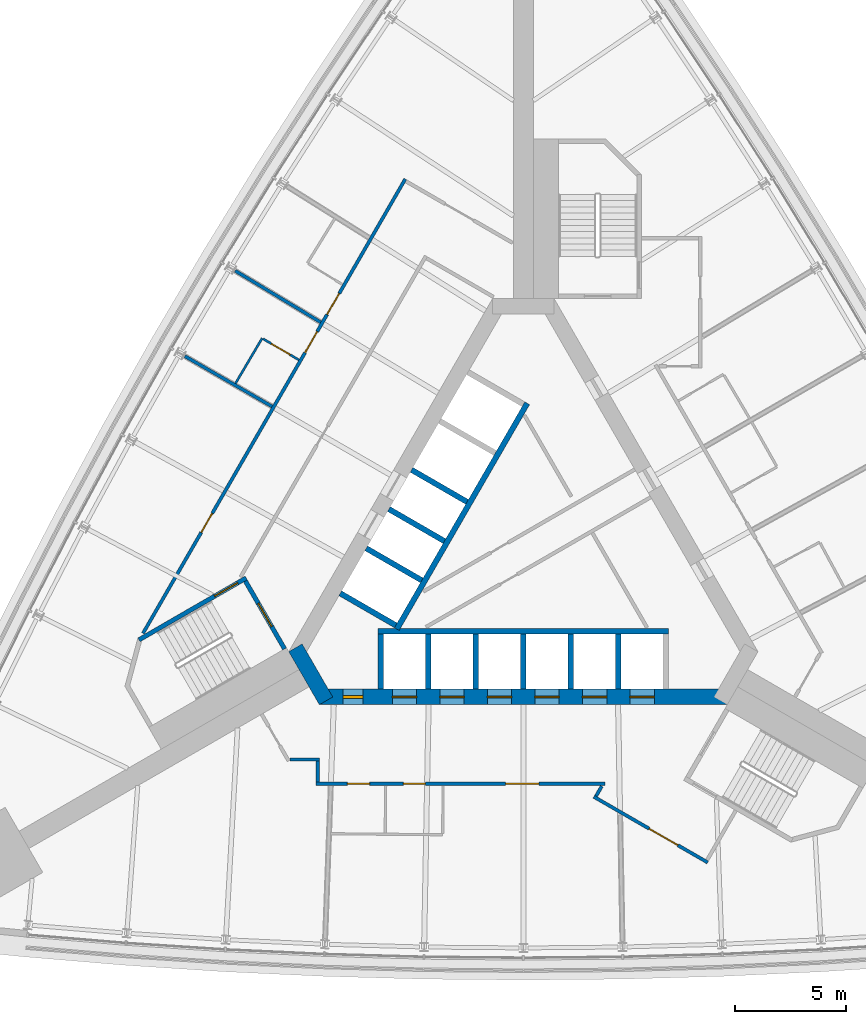
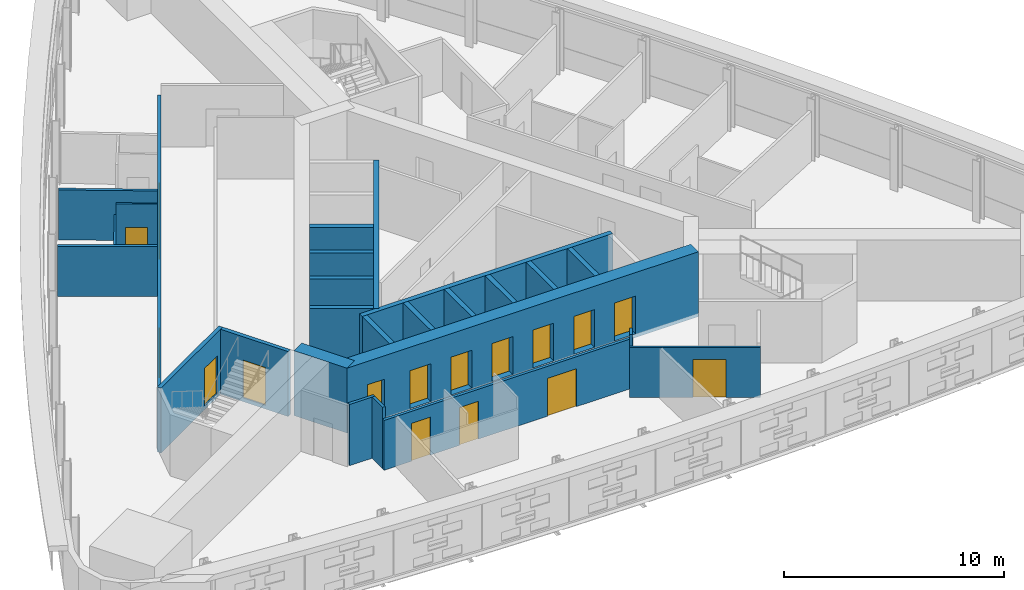
# One storey, part 10 of 15: 26 walls, 17 doors, 17 openings.
"""IFC4 building model written with IfcOpenShell, lengths in metres."""

from ifc_helpers import new_model, si_unit, direction, frame, frame_2d, origin, place, context, subcontext, project, spatial, rectangle, extrude, material, layer, layer_set, type_object, element, fill, save


model = new_model("IFC4")

# Units and contexts
model_context = context("Model", 3, precision=1e-05, world=origin(), true_north=direction((0.0, 1.0)))
body_context = subcontext(model_context, "Body", "Model", "MODEL_VIEW")
ifc_project = project(units=[si_unit("LENGTHUNIT", "METRE"), si_unit("AREAUNIT", "SQUARE_METRE"), si_unit("VOLUMEUNIT", "CUBIC_METRE"), si_unit("PLANEANGLEUNIT", "RADIAN"), si_unit("MASSUNIT", "GRAM", prefix="KILO")], contexts=[model_context])

# Site, building, storey
site_placement = place(None, origin())
site = spatial("IfcSite", under=ifc_project, at=site_placement, CompositionType="ELEMENT")
building_placement = place(site_placement, origin())
building = spatial("IfcBuilding", under=site, at=building_placement, Name="Noor Cloister Tower", CompositionType="ELEMENT")
storey_placement = place(building_placement, frame((0.0, 0.0, 27.60009765625)))
storey = spatial("IfcBuildingStorey", under=building, at=storey_placement, Name="L06", CompositionType="ELEMENT", Elevation=27.60009765625)

# Wall, openings, doors
ifc_material_1 = material(Name="Concrete C80/95", Category="concrete")
ifc_layer_1 = layer(ifc_material_1, 0.699951171875)
ifc_layer_set_1 = layer_set([ifc_layer_1], Name="Core wall 700 C80/95")
wall_type_1 = type_object("IfcWallType", Name="Core wall 700 C80/95", PredefinedType="SHEAR", material=ifc_layer_set_1)
wall_1_placement = place(storey_placement, frame((-9.228759765625, -6.578125, -0.2001953125), z_axis=(0.0, 0.0, 1.0), x_axis=(1.0, 0.0, 0.0)))
wall_1 = element("IfcWall", 1, at=wall_1_placement, inside=storey, type_object=wall_type_1, Name="Core wall L06 1", PredefinedType="SHEAR", context=body_context, shape_type="SweptSolid", body=[
    extrude(rectangle(XDim=18.45751953125, YDim=0.699951171875, at=frame_2d((9.228759765625, 0.0))), origin(), (0.0, 0.0, 1.0), 3.60009765625),
])
opening_1_placement = place(wall_1_placement, frame((3.3037109375, 0.0, 0.199951171875)))
opening_1 = element("IfcOpeningElement", 2, at=opening_1_placement, cuts=wall_1, Name="Opening L06-LR1", PredefinedType="OPENING", context=body_context, shape_type="SweptSolid", body=[
    extrude(rectangle(XDim=1.10009765625, YDim=2.10009765625, at=frame_2d((0.550048828125, 1.050048828125))), frame((0.0, 0.35986328125, 0.0), z_axis=(0.0, -1.0, 0.0), x_axis=(1.0, 0.0, 0.0)), (0.0, 0.0, 1.0), 0.719970703125),
])
opening_2_placement = place(wall_1_placement, frame((5.45361328125, 0.0, 0.199951171875)))
opening_2 = element("IfcOpeningElement", 3, at=opening_2_placement, cuts=wall_1, Name="Opening L06-LR2", PredefinedType="OPENING", context=body_context, shape_type="SweptSolid", body=[
    extrude(rectangle(XDim=1.10009765625, YDim=2.10009765625, at=frame_2d((0.550048828125, 1.050048828125))), frame((0.0, 0.35986328125, 0.0), z_axis=(0.0, -1.0, 0.0), x_axis=(1.0, 0.0, 0.0)), (0.0, 0.0, 1.0), 0.719970703125),
])
opening_3_placement = place(wall_1_placement, frame((7.603759765625, 0.0, 0.199951171875)))
opening_3 = element("IfcOpeningElement", 4, at=opening_3_placement, cuts=wall_1, Name="Opening L06-LR3", PredefinedType="OPENING", context=body_context, shape_type="SweptSolid", body=[
    extrude(rectangle(XDim=1.10009765625, YDim=2.10009765625, at=frame_2d((0.550048828125, 1.050048828125))), frame((0.0, 0.35986328125, 0.0), z_axis=(0.0, -1.0, 0.0), x_axis=(1.0, 0.0, 0.0)), (0.0, 0.0, 1.0), 0.719970703125),
])
opening_4_placement = place(wall_1_placement, frame((9.753662109375, 0.0, 0.199951171875)))
opening_4 = element("IfcOpeningElement", 5, at=opening_4_placement, cuts=wall_1, Name="Opening L06-LR4", PredefinedType="OPENING", context=body_context, shape_type="SweptSolid", body=[
    extrude(rectangle(XDim=1.10009765625, YDim=2.10009765625, at=frame_2d((0.550048828125, 1.050048828125))), frame((0.0, 0.35986328125, 0.0), z_axis=(0.0, -1.0, 0.0), x_axis=(1.0, 0.0, 0.0)), (0.0, 0.0, 1.0), 0.719970703125),
])
opening_5_placement = place(wall_1_placement, frame((11.90380859375, 0.0, 0.199951171875)))
opening_5 = element("IfcOpeningElement", 6, at=opening_5_placement, cuts=wall_1, Name="Opening L06-LR5", PredefinedType="OPENING", context=body_context, shape_type="SweptSolid", body=[
    extrude(rectangle(XDim=1.10009765625, YDim=2.10009765625, at=frame_2d((0.550048828125, 1.050048828125))), frame((0.0, 0.35986328125, 0.0), z_axis=(0.0, -1.0, 0.0), x_axis=(1.0, 0.0, 0.0)), (0.0, 0.0, 1.0), 0.719970703125),
])
opening_6_placement = place(wall_1_placement, frame((14.0537109375, 0.0, 0.199951171875)))
opening_6 = element("IfcOpeningElement", 7, at=opening_6_placement, cuts=wall_1, Name="Opening L06-LR6", PredefinedType="OPENING", context=body_context, shape_type="SweptSolid", body=[
    extrude(rectangle(XDim=1.10009765625, YDim=2.10009765625, at=frame_2d((0.550048828125, 1.050048828125))), frame((0.0, 0.35986328125, 0.0), z_axis=(0.0, -1.0, 0.0), x_axis=(1.0, 0.0, 0.0)), (0.0, 0.0, 1.0), 0.719970703125),
])
opening_7_placement = place(wall_1_placement, frame((1.078857421875, 0.0, 0.199951171875)))
opening_7 = element("IfcOpeningElement", 8, at=opening_7_placement, cuts=wall_1, Name="Opening L06-905", PredefinedType="OPENING", context=body_context, shape_type="SweptSolid", body=[
    extrude(rectangle(XDim=0.89990234375, YDim=2.10009765625, at=frame_2d((0.449951171875, 1.050048828125))), frame((0.0, 0.35986328125, 0.0), z_axis=(0.0, -1.0, 0.0), x_axis=(1.0, 0.0, 0.0)), (0.0, 0.0, 1.0), 0.719970703125),
])
ifc_material_2 = material(Name="Steel", Category="steel")
door_type_1 = type_object("IfcDoorType", Name="Core door 900 x 2100 FD120", OperationType="SINGLE_SWING_LEFT", PredefinedType="DOOR", material=ifc_material_2)
door_1_placement = place(opening_7_placement, origin())
door_1 = element("IfcDoor", 9, at=door_1_placement, inside=storey, type_object=door_type_1, Name="Core door 5 L06", OperationType="SINGLE_SWING_LEFT", OverallHeight=2.10009765625, OverallWidth=0.89990234375, PredefinedType="DOOR", context=body_context, shape_type="SweptSolid", body=[
    extrude(rectangle(XDim=0.89990234375, YDim=2.10009765625, at=frame_2d((0.449951171875, 1.050048828125))), frame((0.0, 0.074951171875, 0.0), z_axis=(0.0, -1.0, 0.0), x_axis=(1.0, 0.0, 0.0)), (0.0, 0.0, 1.0), 0.14990234375),
])
fill(opening_7, door_1)
ifc_material_3 = material(Name="Stainless steel", Category="steel")
door_type_2 = type_object("IfcDoorType", Name="Lift landing door 1100 x 2100", OperationType="DOUBLE_DOOR_SLIDING", PredefinedType="DOOR", material=ifc_material_3)
door_2_placement = place(opening_1_placement, origin())
door_2 = element("IfcDoor", 10, at=door_2_placement, inside=storey, type_object=door_type_2, Name="Landing door LR1 L06", OperationType="DOUBLE_DOOR_SLIDING", OverallHeight=2.10009765625, OverallWidth=1.10009765625, PredefinedType="DOOR", context=body_context, shape_type="SweptSolid", body=[
    extrude(rectangle(XDim=1.10009765625, YDim=2.10009765625, at=frame_2d((0.550048828125, 1.050048828125))), frame((0.0, 0.02490234375, 0.0), z_axis=(0.0, -1.0, 0.0), x_axis=(1.0, 0.0, 0.0)), (0.0, 0.0, 1.0), 0.050048828125),
])
fill(opening_1, door_2)
door_3_placement = place(opening_2_placement, origin())
door_3 = element("IfcDoor", 11, at=door_3_placement, inside=storey, type_object=door_type_2, Name="Landing door LR2 L06", OperationType="DOUBLE_DOOR_SLIDING", OverallHeight=2.10009765625, OverallWidth=1.10009765625, PredefinedType="DOOR", context=body_context, shape_type="SweptSolid", body=[
    extrude(rectangle(XDim=1.10009765625, YDim=2.10009765625, at=frame_2d((0.550048828125, 1.050048828125))), frame((0.0, 0.02490234375, 0.0), z_axis=(0.0, -1.0, 0.0), x_axis=(1.0, 0.0, 0.0)), (0.0, 0.0, 1.0), 0.050048828125),
])
fill(opening_2, door_3)
door_4_placement = place(opening_3_placement, origin())
door_4 = element("IfcDoor", 12, at=door_4_placement, inside=storey, type_object=door_type_2, Name="Landing door LR3 L06", OperationType="DOUBLE_DOOR_SLIDING", OverallHeight=2.10009765625, OverallWidth=1.10009765625, PredefinedType="DOOR", context=body_context, shape_type="SweptSolid", body=[
    extrude(rectangle(XDim=1.10009765625, YDim=2.10009765625, at=frame_2d((0.550048828125, 1.050048828125))), frame((0.0, 0.02490234375, 0.0), z_axis=(0.0, -1.0, 0.0), x_axis=(1.0, 0.0, 0.0)), (0.0, 0.0, 1.0), 0.050048828125),
])
fill(opening_3, door_4)
door_5_placement = place(opening_4_placement, origin())
door_5 = element("IfcDoor", 13, at=door_5_placement, inside=storey, type_object=door_type_2, Name="Landing door LR4 L06", OperationType="DOUBLE_DOOR_SLIDING", OverallHeight=2.10009765625, OverallWidth=1.10009765625, PredefinedType="DOOR", context=body_context, shape_type="SweptSolid", body=[
    extrude(rectangle(XDim=1.10009765625, YDim=2.10009765625, at=frame_2d((0.550048828125, 1.050048828125))), frame((0.0, 0.02490234375, 0.0), z_axis=(0.0, -1.0, 0.0), x_axis=(1.0, 0.0, 0.0)), (0.0, 0.0, 1.0), 0.050048828125),
])
fill(opening_4, door_5)
door_6_placement = place(opening_5_placement, origin())
door_6 = element("IfcDoor", 14, at=door_6_placement, inside=storey, type_object=door_type_2, Name="Landing door LR5 L06", OperationType="DOUBLE_DOOR_SLIDING", OverallHeight=2.10009765625, OverallWidth=1.10009765625, PredefinedType="DOOR", context=body_context, shape_type="SweptSolid", body=[
    extrude(rectangle(XDim=1.10009765625, YDim=2.10009765625, at=frame_2d((0.550048828125, 1.050048828125))), frame((0.0, 0.02490234375, 0.0), z_axis=(0.0, -1.0, 0.0), x_axis=(1.0, 0.0, 0.0)), (0.0, 0.0, 1.0), 0.050048828125),
])
fill(opening_5, door_6)
door_7_placement = place(opening_6_placement, origin())
door_7 = element("IfcDoor", 15, at=door_7_placement, inside=storey, type_object=door_type_2, Name="Landing door LR6 L06", OperationType="DOUBLE_DOOR_SLIDING", OverallHeight=2.10009765625, OverallWidth=1.10009765625, PredefinedType="DOOR", context=body_context, shape_type="SweptSolid", body=[
    extrude(rectangle(XDim=1.10009765625, YDim=2.10009765625, at=frame_2d((0.550048828125, 1.050048828125))), frame((0.0, 0.02490234375, 0.0), z_axis=(0.0, -1.0, 0.0), x_axis=(1.0, 0.0, 0.0)), (0.0, 0.0, 1.0), 0.050048828125),
])
fill(opening_6, door_7)

# Wall
wall_2_placement = place(storey_placement, frame((-10.311279296875, -4.353271484375, -0.2001953125), z_axis=(0.0, 0.0, 1.0), x_axis=(0.500042739161, -0.866000726912, 0.0)))
element("IfcWall", 16, at=wall_2_placement, inside=storey, type_object=wall_type_1, Name="Core wall L06 6", PredefinedType="SHEAR", context=body_context, shape_type="SweptSolid", body=[
    extrude(rectangle(XDim=2.771240234375, YDim=0.699951171875, at=frame_2d((1.3857421875, 0.0))), origin(), (0.0, 0.0, 1.0), 3.60009765625),
])

# Wall, openings, doors
ifc_material_4 = material(Name="Gypsum board partition on steel studs, 150 mm", Category="steel")
ifc_layer_2 = layer(ifc_material_4, 0.14990234375)
ifc_layer_set_2 = layer_set([ifc_layer_2], Name="Flat wall 150")
wall_type_2 = type_object("IfcWallType", Name="Flat wall 150", PredefinedType="PARTITIONING", material=ifc_layer_set_2)
wall_3_placement = place(storey_placement, frame((-17.208251953125, -3.69921875, 0.0), z_axis=(0.0, 0.0, 1.0), x_axis=(0.499997567621, 0.866026808115, 0.0)))
wall_3 = element("IfcWall", 17, at=wall_3_placement, inside=storey, type_object=wall_type_2, Name="Flat wall 150 L06 001", PredefinedType="PARTITIONING", context=body_context, shape_type="SweptSolid", body=[
    extrude(rectangle(XDim=23.736328125, YDim=0.14990234375, at=frame_2d((11.8681640625, 0.0))), origin(), (0.0, 0.0, 1.0), 2.767822265625),
])
opening_8_placement = place(wall_3_placement, frame((16.65576171875, 0.0, 0.0)))
opening_8 = element("IfcOpeningElement", 18, at=opening_8_placement, cuts=wall_3, Name="Opening L06-001", PredefinedType="OPENING", context=body_context, shape_type="SweptSolid", body=[
    extrude(rectangle(XDim=1.10009765625, YDim=2.10009765625, at=frame_2d((0.550048828125, 1.050048828125))), frame((0.0, 0.0849609375, 0.0), z_axis=(0.0, -1.0, 0.0), x_axis=(1.0, 0.0, 0.0)), (0.0, 0.0, 1.0), 0.169921875),
])
opening_9_placement = place(wall_3_placement, frame((14.662109375, 0.0, 0.0)))
opening_9 = element("IfcOpeningElement", 19, at=opening_9_placement, cuts=wall_3, Name="Opening L06-002", PredefinedType="OPENING", context=body_context, shape_type="SweptSolid", body=[
    extrude(rectangle(XDim=1.10009765625, YDim=2.10009765625, at=frame_2d((0.550048828125, 1.050048828125))), frame((0.0, 0.0849609375, 0.0), z_axis=(0.0, -1.0, 0.0), x_axis=(1.0, 0.0, 0.0)), (0.0, 0.0, 1.0), 0.169921875),
])
opening_10_placement = place(wall_3_placement, frame((5.273193359375, 0.0, 0.0)))
opening_10 = element("IfcOpeningElement", 20, at=opening_10_placement, cuts=wall_3, Name="Opening L06-003", PredefinedType="OPENING", context=body_context, shape_type="SweptSolid", body=[
    extrude(rectangle(XDim=1.0, YDim=2.10009765625, at=frame_2d((0.5, 1.050048828125))), frame((0.0, 0.0849609375, 0.0), z_axis=(0.0, -1.0, 0.0), x_axis=(1.0, 0.0, 0.0)), (0.0, 0.0, 1.0), 0.169921875),
])
ifc_material_5 = material(Name="Timber door leaf with steel frame", Category="steel")
door_type_3 = type_object("IfcDoorType", Name="Interior door 1000 FD60", OperationType="NOTDEFINED", PredefinedType="DOOR", material=ifc_material_5)
door_8_placement = place(opening_10_placement, origin())
door_8 = element("IfcDoor", 21, at=door_8_placement, inside=storey, type_object=door_type_3, Name="Interior door 1000 L06-003", OperationType="SINGLE_SWING_LEFT", OverallHeight=2.10009765625, OverallWidth=1.0, PredefinedType="DOOR", context=body_context, shape_type="SweptSolid", body=[
    extrude(rectangle(XDim=1.0, YDim=2.10009765625, at=frame_2d((0.5, 1.050048828125))), frame((0.0, 0.02490234375, 0.0), z_axis=(0.0, -1.0, 0.0), x_axis=(1.0, 0.0, 0.0)), (0.0, 0.0, 1.0), 0.050048828125),
])
fill(opening_10, door_8)
ifc_material_6 = material(Name="Timber door leaf with steel frame", Category="steel")
door_type_4 = type_object("IfcDoorType", Name="Resident room door 1100", OperationType="NOTDEFINED", PredefinedType="DOOR", material=ifc_material_6)
door_9_placement = place(opening_8_placement, origin())
door_9 = element("IfcDoor", 22, at=door_9_placement, inside=storey, type_object=door_type_4, Name="Resident room door 1100 L06-001", OperationType="SINGLE_SWING_RIGHT", OverallHeight=2.10009765625, OverallWidth=1.10009765625, PredefinedType="DOOR", context=body_context, shape_type="SweptSolid", body=[
    extrude(rectangle(XDim=1.10009765625, YDim=2.10009765625, at=frame_2d((0.550048828125, 1.050048828125))), frame((0.0, 0.02490234375, 0.0), z_axis=(0.0, -1.0, 0.0), x_axis=(1.0, 0.0, 0.0)), (0.0, 0.0, 1.0), 0.050048828125),
])
fill(opening_8, door_9)
door_10_placement = place(opening_9_placement, origin())
door_10 = element("IfcDoor", 23, at=door_10_placement, inside=storey, type_object=door_type_4, Name="Resident room door 1100 L06-002", OperationType="SINGLE_SWING_RIGHT", OverallHeight=2.10009765625, OverallWidth=1.10009765625, PredefinedType="DOOR", context=body_context, shape_type="SweptSolid", body=[
    extrude(rectangle(XDim=1.10009765625, YDim=2.10009765625, at=frame_2d((0.550048828125, 1.050048828125))), frame((0.0, 0.02490234375, 0.0), z_axis=(0.0, -1.0, 0.0), x_axis=(1.0, 0.0, 0.0)), (0.0, 0.0, 1.0), 0.050048828125),
])
fill(opening_9, door_10)

wall_4_placement = place(storey_placement, frame((3.68896484375, -10.503173828125, 0.0), z_axis=(0.0, 0.0, 1.0), x_axis=(-1.0, 0.0, 0.0)))
wall_4 = element("IfcWall", 24, at=wall_4_placement, inside=storey, type_object=wall_type_2, Name="Flat wall 150 L06 004", PredefinedType="PARTITIONING", context=body_context, shape_type="SweptSolid", body=[
    extrude(rectangle(XDim=13.067626953125, YDim=0.14990234375, at=frame_2d((6.53369140625, 0.0))), origin(), (0.0, 0.0, 1.0), 2.767822265625),
])
opening_11_placement = place(wall_4_placement, frame((10.64599609375, 0.0, 0.0)))
opening_11 = element("IfcOpeningElement", 25, at=opening_11_placement, cuts=wall_4, Name="Opening L06-007", PredefinedType="OPENING", context=body_context, shape_type="SweptSolid", body=[
    extrude(rectangle(XDim=1.0, YDim=2.10009765625, at=frame_2d((0.5, 1.050048828125))), frame((0.0, 0.0849609375, 0.0), z_axis=(0.0, -1.0, 0.0), x_axis=(1.0, 0.0, 0.0)), (0.0, 0.0, 1.0), 0.169921875),
])
opening_12_placement = place(wall_4_placement, frame((8.11767578125, 0.0, 0.0)))
opening_12 = element("IfcOpeningElement", 26, at=opening_12_placement, cuts=wall_4, Name="Opening L06-008", PredefinedType="OPENING", context=body_context, shape_type="SweptSolid", body=[
    extrude(rectangle(XDim=1.0, YDim=2.10009765625, at=frame_2d((0.5, 1.050048828125))), frame((0.0, 0.0849609375, 0.0), z_axis=(0.0, -1.0, 0.0), x_axis=(1.0, 0.0, 0.0)), (0.0, 0.0, 1.0), 0.169921875),
])
opening_13_placement = place(wall_4_placement, frame((2.986083984375, 0.0, 0.0)))
opening_13 = element("IfcOpeningElement", 27, at=opening_13_placement, cuts=wall_4, Name="Opening L06-009", PredefinedType="OPENING", context=body_context, shape_type="SweptSolid", body=[
    extrude(rectangle(XDim=1.5, YDim=2.10009765625, at=frame_2d((0.75, 1.050048828125))), frame((0.0, 0.0849609375, 0.0), z_axis=(0.0, -1.0, 0.0), x_axis=(1.0, 0.0, 0.0)), (0.0, 0.0, 1.0), 0.169921875),
])
ifc_material_7 = material(Name="Timber door leaf with steel frame", Category="steel")
door_type_5 = type_object("IfcDoorType", Name="Accessible WC door 1000", OperationType="NOTDEFINED", PredefinedType="DOOR", material=ifc_material_7)
door_11_placement = place(opening_11_placement, origin())
door_11 = element("IfcDoor", 28, at=door_11_placement, inside=storey, type_object=door_type_5, Name="Accessible WC door 1000 L06-007", OperationType="SINGLE_SWING_RIGHT", OverallHeight=2.10009765625, OverallWidth=1.0, PredefinedType="DOOR", context=body_context, shape_type="SweptSolid", body=[
    extrude(rectangle(XDim=1.0, YDim=2.10009765625, at=frame_2d((0.5, 1.050048828125))), frame((0.0, 0.02490234375, 0.0), z_axis=(0.0, -1.0, 0.0), x_axis=(1.0, 0.0, 0.0)), (0.0, 0.0, 1.0), 0.050048828125),
])
fill(opening_11, door_11)
ifc_material_8 = material(Name="Timber door leaf with steel frame", Category="steel")
door_type_6 = type_object("IfcDoorType", Name="Double door 1500 FD60", OperationType="NOTDEFINED", PredefinedType="DOOR", material=ifc_material_8)
door_12_placement = place(opening_13_placement, origin())
door_12 = element("IfcDoor", 29, at=door_12_placement, inside=storey, type_object=door_type_6, Name="Double door 1500 L06-009", OperationType="DOUBLE_DOOR_SINGLE_SWING", OverallHeight=2.10009765625, OverallWidth=1.5, PredefinedType="DOOR", context=body_context, shape_type="SweptSolid", body=[
    extrude(rectangle(XDim=1.5, YDim=2.10009765625, at=frame_2d((0.75, 1.050048828125))), frame((0.0, 0.02490234375, 0.0), z_axis=(0.0, -1.0, 0.0), x_axis=(1.0, 0.0, 0.0)), (0.0, 0.0, 1.0), 0.050048828125),
])
fill(opening_13, door_12)
door_13_placement = place(opening_12_placement, origin())
door_13 = element("IfcDoor", 30, at=door_13_placement, inside=storey, type_object=door_type_3, Name="Interior door 1000 L06-008", OperationType="SINGLE_SWING_RIGHT", OverallHeight=2.10009765625, OverallWidth=1.0, PredefinedType="DOOR", context=body_context, shape_type="SweptSolid", body=[
    extrude(rectangle(XDim=1.0, YDim=2.10009765625, at=frame_2d((0.5, 1.050048828125))), frame((0.0, 0.02490234375, 0.0), z_axis=(0.0, -1.0, 0.0), x_axis=(1.0, 0.0, 0.0)), (0.0, 0.0, 1.0), 0.050048828125),
])
fill(opening_12, door_13)

# Wall, opening, door
wall_5_placement = place(storey_placement, frame((8.341064453125, -14.065673828125, 0.0), z_axis=(0.0, 0.0, 1.0), x_axis=(-0.866017493347, 0.500013701029, 0.0)))
wall_5 = element("IfcWall", 31, at=wall_5_placement, inside=storey, type_object=wall_type_2, Name="Flat wall 150 L06 006", PredefinedType="PARTITIONING", context=body_context, shape_type="SweptSolid", body=[
    extrude(rectangle(XDim=5.949951171875, YDim=0.14990234375, at=frame_2d((2.97509765625, 0.0))), origin(), (0.0, 0.0, 1.0), 2.767822265625),
])
opening_14_placement = place(wall_5_placement, frame((1.55712890625, 0.0, 0.0)))
opening_14 = element("IfcOpeningElement", 32, at=opening_14_placement, cuts=wall_5, Name="Opening L06-011", PredefinedType="OPENING", context=body_context, shape_type="SweptSolid", body=[
    extrude(rectangle(XDim=1.5, YDim=2.10009765625, at=frame_2d((0.75, 1.050048828125))), frame((0.0, 0.0849609375, 0.0), z_axis=(0.0, -1.0, 0.0), x_axis=(1.0, 0.0, 0.0)), (0.0, 0.0, 1.0), 0.169921875),
])
door_14_placement = place(opening_14_placement, origin())
door_14 = element("IfcDoor", 33, at=door_14_placement, inside=storey, type_object=door_type_6, Name="Double door 1500 L06-011", OperationType="DOUBLE_DOOR_SINGLE_SWING", OverallHeight=2.10009765625, OverallWidth=1.5, PredefinedType="DOOR", context=body_context, shape_type="SweptSolid", body=[
    extrude(rectangle(XDim=1.5, YDim=2.10009765625, at=frame_2d((0.75, 1.050048828125))), frame((0.0, 0.02490234375, 0.0), z_axis=(0.0, -1.0, 0.0), x_axis=(1.0, 0.0, 0.0)), (0.0, 0.0, 1.0), 0.050048828125),
])
fill(opening_14, door_14)

# Walls
wall_6_placement = place(storey_placement, frame((-10.55517578125, -9.4033203125, 0.0), z_axis=(0.0, 0.0, 1.0), x_axis=(1.0, 0.0, 0.0)))
element("IfcWall", 34, at=wall_6_placement, inside=storey, type_object=wall_type_2, Name="Flat wall 150 L06 014", PredefinedType="PARTITIONING", context=body_context, shape_type="SweptSolid", body=[
    extrude(rectangle(XDim=1.326416015625, YDim=0.14990234375, at=frame_2d((0.6630859375, 0.0))), origin(), (0.0, 0.0, 1.0), 3.39990234375),
])
wall_7_placement = place(storey_placement, frame((-9.3037109375, -10.42822265625, 0.0), z_axis=(0.0, 0.0, 1.0), x_axis=(0.0, 1.0, 0.0)))
element("IfcWall", 35, at=wall_7_placement, inside=storey, type_object=wall_type_2, Name="Flat wall 150 L06 015", PredefinedType="PARTITIONING", context=body_context, shape_type="SweptSolid", body=[
    extrude(rectangle(XDim=0.949951171875, YDim=0.14990234375, at=frame_2d((0.47509765625, 0.0))), origin(), (0.0, 0.0, 1.0), 3.39990234375),
])
wall_8_placement = place(storey_placement, frame((3.290771484375, -11.063232421875, 0.0), z_axis=(0.0, 0.0, 1.0), x_axis=(0.499899694197, 0.866083307622, 0.0)))
element("IfcWall", 36, at=wall_8_placement, inside=storey, type_object=wall_type_2, Name="Flat wall 150 L06 016", PredefinedType="PARTITIONING", context=body_context, shape_type="SweptSolid", body=[
    extrude(rectangle(XDim=0.5166015625, YDim=0.14990234375, at=frame_2d((0.25830078125, 0.0))), origin(), (0.0, 0.0, 1.0), 3.39990234375),
])
wall_9_placement = place(storey_placement, frame((-15.31396484375, 8.841552734375, 0.0), z_axis=(0.0, 0.0, 1.0), x_axis=(0.866031166731, -0.499990018151, 0.0)))
element("IfcWall", 37, at=wall_9_placement, inside=storey, type_object=wall_type_2, Name="Flat wall 150 L06 023", PredefinedType="PARTITIONING", context=body_context, shape_type="SweptSolid", body=[
    extrude(rectangle(XDim=4.5546875, YDim=0.14990234375, at=frame_2d((2.27734375, 0.0))), origin(), (0.0, 0.0, 1.0), 2.767822265625),
])
wall_10_placement = place(storey_placement, frame((-13.03564453125, 12.704833984375, 0.0), z_axis=(0.0, 0.0, 1.0), x_axis=(0.856594224171, -0.515990634719, 0.0)))
element("IfcWall", 38, at=wall_10_placement, inside=storey, type_object=wall_type_2, Name="Flat wall 150 L06 024", PredefinedType="PARTITIONING", context=body_context, shape_type="SweptSolid", body=[
    extrude(rectangle(XDim=4.512939453125, YDim=0.14990234375, at=frame_2d((2.25634765625, 0.0))), origin(), (0.0, 0.0, 1.0), 2.767822265625),
])
ifc_material_9 = material(Name="Gypsum board partition on steel studs, 100 mm", Category="steel")
ifc_layer_3 = layer(ifc_material_9, 0.10009765625)
ifc_layer_set_3 = layer_set([ifc_layer_3], Name="Partition 100")
wall_type_3 = type_object("IfcWallType", Name="Partition 100", PredefinedType="PARTITIONING", material=ifc_layer_set_3)
wall_11_placement = place(storey_placement, frame((-13.02392578125, 7.6064453125, 0.0), z_axis=(0.0, 0.0, 1.0), x_axis=(0.508012392693, 0.861349759895, 0.0)))
element("IfcWall", 39, at=wall_11_placement, inside=storey, type_object=wall_type_3, Name="Partition 100 L06 030", PredefinedType="PARTITIONING", context=body_context, shape_type="SweptSolid", body=[
    extrude(rectangle(XDim=2.37548828125, YDim=0.10009765625, at=frame_2d((1.187744140625, 0.0))), origin(), (0.0, 0.0, 1.0), 2.767822265625),
])

# Wall, opening, door
wall_12_placement = place(storey_placement, frame((-10.1533203125, 8.671142578125, 0.0), z_axis=(0.0, 0.0, 1.0), x_axis=(-0.861326599867, 0.508051659147, 0.0)))
wall_12 = element("IfcWall", 40, at=wall_12_placement, inside=storey, type_object=wall_type_3, Name="Partition 100 L06 037", PredefinedType="PARTITIONING", context=body_context, shape_type="SweptSolid", body=[
    extrude(rectangle(XDim=1.8818359375, YDim=0.10009765625, at=frame_2d((0.94091796875, 0.0))), origin(), (0.0, 0.0, 1.0), 3.39990234375),
])
opening_15_placement = place(wall_12_placement, frame((0.45458984375, 0.0, 0.0)))
opening_15 = element("IfcOpeningElement", 41, at=opening_15_placement, cuts=wall_12, Name="Opening L06-019", PredefinedType="OPENING", context=body_context, shape_type="SweptSolid", body=[
    extrude(rectangle(XDim=1.0, YDim=2.10009765625, at=frame_2d((0.5, 1.050048828125))), frame((0.0, 0.06005859375, 0.0), z_axis=(0.0, -1.0, 0.0), x_axis=(1.0, 0.0, 0.0)), (0.0, 0.0, 1.0), 0.1201171875),
])
ifc_material_10 = material(Name="Timber door leaf with steel frame", Category="steel")
door_type_7 = type_object("IfcDoorType", Name="Interior door 1000", OperationType="NOTDEFINED", PredefinedType="DOOR", material=ifc_material_10)
door_15_placement = place(opening_15_placement, origin())
door_15 = element("IfcDoor", 42, at=door_15_placement, inside=storey, type_object=door_type_7, Name="Interior door 1000 L06-019", OperationType="SINGLE_SWING_RIGHT", OverallHeight=2.10009765625, OverallWidth=1.0, PredefinedType="DOOR", context=body_context, shape_type="SweptSolid", body=[
    extrude(rectangle(XDim=1.0, YDim=2.10009765625, at=frame_2d((0.5, 1.050048828125))), frame((0.0, 0.02490234375, 0.0), z_axis=(0.0, -1.0, 0.0), x_axis=(1.0, 0.0, 0.0)), (0.0, 0.0, 1.0), 0.050048828125),
])
fill(opening_15, door_15)

# Walls
ifc_material_11 = material(Name="Concrete C80/95", Category="concrete")
ifc_layer_4 = layer(ifc_material_11, 0.25)
ifc_layer_set_4 = layer_set([ifc_layer_4], Name="Shaft wall 250 C80/95")
wall_type_4 = type_object("IfcWallType", Name="Shaft wall 250 C80/95", PredefinedType="PARTITIONING", material=ifc_layer_set_4)
for number, where, z_axis, x_axis, name in (
    (43, (-6.449951171875, -6.228271484375, -0.2001953125), (0.0, 0.0, 1.0), (0.0, 1.0, 0.0), "Lift shaft wall L06 S 1"),
    (44, (-4.300048828125, -6.228271484375, -0.2001953125), (0.0, 0.0, 1.0), (0.0, 1.0, 0.0), "Lift shaft wall L06 S 2"),
    (45, (-2.14990234375, -6.228271484375, -0.2001953125), (0.0, 0.0, 1.0), (0.0, 1.0, 0.0), "Lift shaft wall L06 S 3"),
    (46, (0.0, -6.228271484375, -0.2001953125), (0.0, 0.0, 1.0), (0.0, 1.0, 0.0), "Lift shaft wall L06 S 4"),
    (47, (2.14990234375, -6.228271484375, -0.2001953125), (0.0, 0.0, 1.0), (0.0, 1.0, 0.0), "Lift shaft wall L06 S 5"),
    (48, (4.300048828125, -6.228271484375, -0.2001953125), (0.0, 0.0, 1.0), (0.0, 1.0, 0.0), "Lift shaft wall L06 S 6"),
):
    element("IfcWall", number, at=place(storey_placement, frame(where, z_axis=z_axis, x_axis=x_axis)), inside=storey, type_object=wall_type_4, Name=name, PredefinedType="PARTITIONING", context=body_context, shape_type="SweptSolid", body=[
        extrude(rectangle(XDim=2.5, YDim=0.25, at=frame_2d((1.25, 0.0))), origin(), (0.0, 0.0, 1.0), 3.60009765625),
    ])
wall_13_placement = place(storey_placement, frame((-6.574951171875, -3.603271484375, 0.0), z_axis=(0.0, 0.0, 1.0), x_axis=(1.0, 0.0, 0.0)))
element("IfcWall", 49, at=wall_13_placement, inside=storey, type_object=wall_type_4, Name="Lift shaft back wall L06 S", PredefinedType="PARTITIONING", context=body_context, shape_type="SweptSolid", body=[
    extrude(rectangle(XDim=13.14990234375, YDim=0.25, at=frame_2d((6.574951171875, 0.0))), origin(), (0.0, 0.0, 1.0), 3.39990234375),
])
for number, where, z_axis, x_axis, name in (
    (50, (-5.056396484375, 3.69873046875, -0.2001953125), (0.0, 0.0, 1.0), (0.866032775405, -0.499987231761, 0.0), "Lift shaft wall L06 NW 3"),
    (51, (-6.081298828125, 1.92333984375, -0.2001953125), (0.0, 0.0, 1.0), (0.866032775405, -0.499987231761, 0.0), "Lift shaft wall L06 NW 4"),
    (52, (-7.106201171875, 0.14794921875, -0.2001953125), (0.0, 0.0, 1.0), (0.866032775405, -0.499987231761, 0.0), "Lift shaft wall L06 NW 5"),
    (53, (-8.28125, -1.88720703125, -0.2001953125), (0.0, 0.0, 1.0), (0.866032775405, -0.499987231761, 0.0), "Lift shaft wall L06 NW 6"),
):
    element("IfcWall", number, at=place(storey_placement, frame(where, z_axis=z_axis, x_axis=x_axis)), inside=storey, type_object=wall_type_4, Name=name, PredefinedType="PARTITIONING", context=body_context, shape_type="SweptSolid", body=[
        extrude(rectangle(XDim=2.89990234375, YDim=0.25, at=frame_2d((1.449951171875, 0.0))), origin(), (0.0, 0.0, 1.0), 3.60009765625),
    ])
wall_14_placement = place(storey_placement, frame((0.176025390625, 6.711181640625, 0.0), z_axis=(0.0, 0.0, 1.0), x_axis=(-0.500004227369, -0.866022963098, 0.0)))
element("IfcWall", 54, at=wall_14_placement, inside=storey, type_object=wall_type_4, Name="Lift shaft back wall L06 NW", PredefinedType="PARTITIONING", context=body_context, shape_type="SweptSolid", body=[
    extrude(rectangle(XDim=11.80029296875, YDim=0.25, at=frame_2d((5.900146484375, 0.0))), origin(), (0.0, 0.0, 1.0), 3.39990234375),
])

# Wall, opening, door
ifc_material_12 = material(Name="Concrete C80/95", Category="concrete")
ifc_layer_5 = layer(ifc_material_12, 0.199951171875)
ifc_layer_set_5 = layer_set([ifc_layer_5], Name="Stair enclosure wall 200 C80/95")
wall_type_5 = type_object("IfcWallType", Name="Stair enclosure wall 200 C80/95", PredefinedType="SHEAR", material=ifc_layer_set_5)
wall_15_placement = place(storey_placement, frame((-12.575927734375, -1.33056640625, -0.2001953125), z_axis=(0.0, 0.0, 1.0), x_axis=(0.499970499736, -0.8660424351, 0.0)))
wall_15 = element("IfcWall", 55, at=wall_15_placement, inside=storey, type_object=wall_type_5, Name="Stair enclosure wall ST2 L06 near end", PredefinedType="SHEAR", context=body_context, shape_type="SweptSolid", body=[
    extrude(rectangle(XDim=3.550048828125, YDim=0.199951171875, at=frame_2d((1.77490234375, 0.0))), origin(), (0.0, 0.0, 1.0), 3.60009765625),
])
opening_16_placement = place(wall_15_placement, frame((1.175048828125, 0.0, 0.199951171875)))
opening_16 = element("IfcOpeningElement", 56, at=opening_16_placement, cuts=wall_15, Name="Opening L06-ST2L", PredefinedType="OPENING", context=body_context, shape_type="SweptSolid", body=[
    extrude(rectangle(XDim=1.199951171875, YDim=2.10009765625, at=frame_2d((0.60009765625, 1.050048828125))), frame((0.0, 0.10986328125, 0.0), z_axis=(0.0, -1.0, 0.0), x_axis=(1.0, 0.0, 0.0)), (0.0, 0.0, 1.0), 0.219970703125),
])
ifc_material_13 = material(Name="Steel", Category="steel")
door_type_8 = type_object("IfcDoorType", Name="Stair door 1200 x 2100 FD120", OperationType="SINGLE_SWING_LEFT", PredefinedType="DOOR", material=ifc_material_13)
door_16_placement = place(opening_16_placement, origin())
door_16 = element("IfcDoor", 57, at=door_16_placement, inside=storey, type_object=door_type_8, Name="Stair door ST2 L06", OperationType="SINGLE_SWING_RIGHT", OverallHeight=2.10009765625, OverallWidth=1.199951171875, PredefinedType="DOOR", context=body_context, shape_type="SweptSolid", body=[
    extrude(rectangle(XDim=1.199951171875, YDim=2.10009765625, at=frame_2d((0.60009765625, 1.050048828125))), frame((0.0, 0.02490234375, 0.0), z_axis=(0.0, -1.0, 0.0), x_axis=(1.0, 0.0, 0.0)), (0.0, 0.0, 1.0), 0.050048828125),
])
fill(opening_16, door_16)

wall_16_placement = place(storey_placement, frame((-12.539306640625, -1.194091796875, -0.2001953125), z_axis=(0.0, 0.0, 1.0), x_axis=(-0.866045472092, -0.499965239061, 0.0)))
wall_16 = element("IfcWall", 58, at=wall_16_placement, inside=storey, type_object=wall_type_5, Name="Stair enclosure wall ST2 L06 outer side", PredefinedType="SHEAR", context=body_context, shape_type="SweptSolid", body=[
    extrude(rectangle(XDim=5.60009765625, YDim=0.199951171875, at=frame_2d((2.800048828125, 0.0))), origin(), (0.0, 0.0, 1.0), 3.60009765625),
])
opening_17_placement = place(wall_16_placement, frame((0.449951171875, 0.0, 0.199951171875)))
opening_17 = element("IfcOpeningElement", 59, at=opening_17_placement, cuts=wall_16, Name="Opening L06-ST2C", PredefinedType="OPENING", context=body_context, shape_type="SweptSolid", body=[
    extrude(rectangle(XDim=1.199951171875, YDim=2.10009765625, at=frame_2d((0.60009765625, 1.050048828125))), frame((0.0, 0.10986328125, 0.0), z_axis=(0.0, -1.0, 0.0), x_axis=(1.0, 0.0, 0.0)), (0.0, 0.0, 1.0), 0.219970703125),
])
door_17_placement = place(opening_17_placement, origin())
door_17 = element("IfcDoor", 60, at=door_17_placement, inside=storey, type_object=door_type_8, Name="Stair door ST2 L06", OperationType="SINGLE_SWING_LEFT", OverallHeight=2.10009765625, OverallWidth=1.199951171875, PredefinedType="DOOR", context=body_context, shape_type="SweptSolid", body=[
    extrude(rectangle(XDim=1.199951171875, YDim=2.10009765625, at=frame_2d((0.60009765625, 1.050048828125))), frame((0.0, 0.02490234375, 0.0), z_axis=(0.0, -1.0, 0.0), x_axis=(1.0, 0.0, 0.0)), (0.0, 0.0, 1.0), 0.050048828125),
])
fill(opening_17, door_17)

save(model, "model.ifc")
